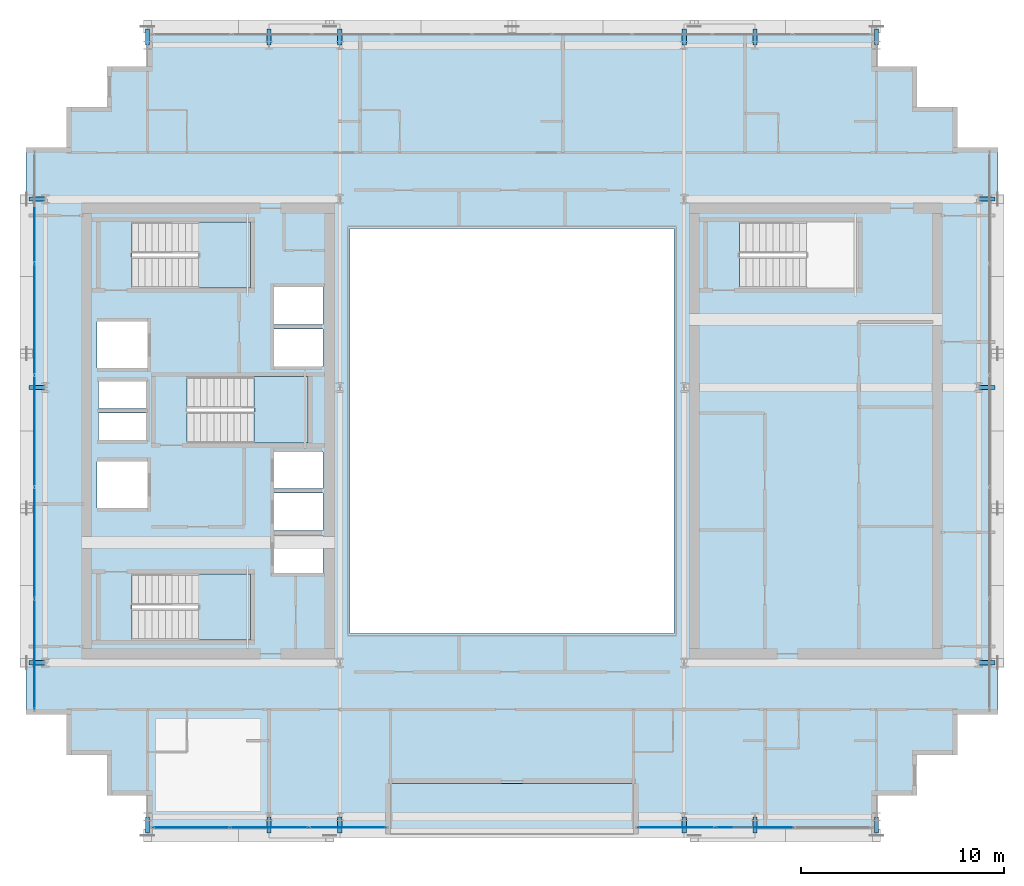
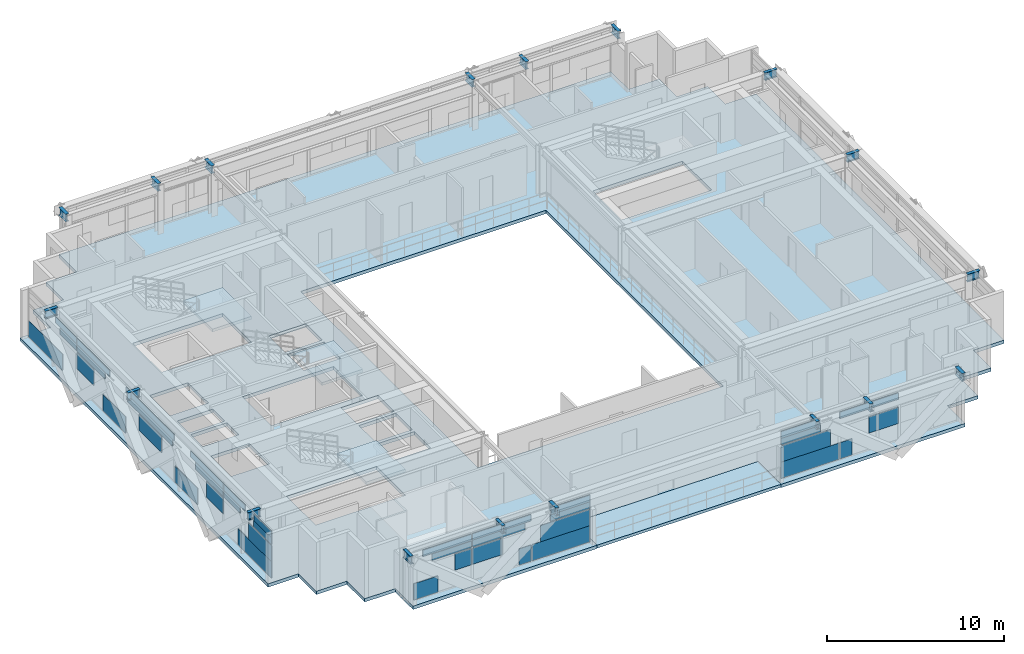
# One storey, part 20 of 32: 39 plates, 18 beams, 5 slabs, 6 elements without a shape of their own.
"""IFC4 building model written with IfcOpenShell, lengths in metres."""

from ifc_helpers import new_model, si_unit, direction, frame, origin, origin_2d, place, context, subcontext, project, spatial, polyline, rectangle, i_section, outline, extrude, source, transform, mapped, material, layer, layer_set, material_profile, profile_set, type_object, element, aggregate, save


model = new_model("IFC4")

# Units and contexts
model_context = context("Model", 3, precision=1e-05, world=origin(), true_north=direction((0.0, 1.0)))
body_context = subcontext(model_context, "Body", "Model", "MODEL_VIEW")
ifc_project = project(units=[si_unit("LENGTHUNIT", "METRE"), si_unit("AREAUNIT", "SQUARE_METRE"), si_unit("VOLUMEUNIT", "CUBIC_METRE"), si_unit("PLANEANGLEUNIT", "RADIAN"), si_unit("MASSUNIT", "GRAM", prefix="KILO")], contexts=[model_context])

# Site, building, storey
site_placement = place(None, origin())
site = spatial("IfcSite", under=ifc_project, at=site_placement, CompositionType="ELEMENT")
building_placement = place(site_placement, origin())
building = spatial("IfcBuilding", under=site, at=building_placement, Name="Ocotamira Hotel", CompositionType="ELEMENT")
storey_placement = place(building_placement, frame((0.0, 0.0, 213.60009765625)))
storey = spatial("IfcBuildingStorey", under=building, at=storey_placement, Name="L54", CompositionType="ELEMENT", Elevation=213.60009765625)

# Beams
ifc_material_1 = material(Name="Steel ASTM A992 Grade 50", Category="steel")
ifc_material_profile = material_profile(ifc_material_1, i_section(OverallWidth=0.2099609375, OverallDepth=0.537109375, WebThickness=0.010986328125, FlangeThickness=0.017333984375, FilletRadius=0.012939453125, at=origin_2d()), Name="W21X68")
ifc_profile_set = profile_set([ifc_material_profile], Name="Steel ASTM A992 Grade 50")
beam_type = type_object("IfcBeamType", Name="BM-SEC-W21X68", PredefinedType="JOIST", material=ifc_profile_set)
shared_shape_1 = source(origin(), body_context, "Body", "SweptSolid", [
    extrude(i_section(OverallWidth=0.2099609375, OverallDepth=0.537109375, WebThickness=0.010986328125, FlangeThickness=0.017333984375, FilletRadius=0.012939453125, at=origin_2d()), origin(), (0.0, 0.0, 1.0), 0.800048828125),
])
for number, where, z_axis, x_axis, name in (
    (1, (14.0, 6.949951171875, 3.101318359375), (0.0, -1.0, 0.0), (1.0, 0.0, 0.0), "L54 South Edge Header X14"),
    (2, (14.0, 45.050048828125, 3.101318359375), (0.0, 1.0, 0.0), (-1.0, 0.0, 0.0), "L54 North Edge Header X14"),
    (3, (20.0, 6.949951171875, 3.101318359375), (0.0, -1.0, 0.0), (1.0, 0.0, 0.0), "L54 South Edge Header X20"),
    (4, (20.0, 45.050048828125, 3.101318359375), (0.0, 1.0, 0.0), (-1.0, 0.0, 0.0), "L54 North Edge Header X20"),
    (5, (23.5, 6.949951171875, 3.101318359375), (0.0, -1.0, 0.0), (1.0, 0.0, 0.0), "L54 South Edge Header X23.5"),
    (6, (23.5, 45.050048828125, 3.101318359375), (0.0, 1.0, 0.0), (-1.0, 0.0, 0.0), "L54 North Edge Header X23.5"),
    (7, (40.5, 6.949951171875, 3.101318359375), (0.0, -1.0, 0.0), (1.0, 0.0, 0.0), "L54 South Edge Header X40.5"),
    (8, (40.5, 45.050048828125, 3.101318359375), (0.0, 1.0, 0.0), (-1.0, 0.0, 0.0), "L54 North Edge Header X40.5"),
    (9, (44.0, 6.949951171875, 3.101318359375), (0.0, -1.0, 0.0), (1.0, 0.0, 0.0), "L54 South Edge Header X44"),
    (10, (44.0, 45.050048828125, 3.101318359375), (0.0, 1.0, 0.0), (-1.0, 0.0, 0.0), "L54 North Edge Header X44"),
    (11, (50.0, 6.949951171875, 3.101318359375), (0.0, -1.0, 0.0), (1.0, 0.0, 0.0), "L54 South Edge Header X50"),
    (12, (50.0, 45.050048828125, 3.101318359375), (0.0, 1.0, 0.0), (-1.0, 0.0, 0.0), "L54 North Edge Header X50"),
    (13, (8.949951171875, 14.550048828125, 3.101318359375), (-1.0, 0.0, 0.0), (0.0, -1.0, 0.0), "L54 West Edge Header Y14.55"),
    (14, (55.050048828125, 14.550048828125, 3.101318359375), (1.0, 0.0, 0.0), (0.0, 1.0, 0.0), "L54 East Edge Header Y14.55"),
    (15, (8.949951171875, 28.14990234375, 3.101318359375), (-1.0, 0.0, 0.0), (0.0, -1.0, 0.0), "L54 West Edge Header Y28.15"),
    (16, (55.050048828125, 28.14990234375, 3.101318359375), (1.0, 0.0, 0.0), (0.0, 1.0, 0.0), "L54 East Edge Header Y28.15"),
    (17, (8.949951171875, 37.449951171875, 3.101318359375), (-1.0, 0.0, 0.0), (0.0, -1.0, 0.0), "L54 West Edge Header Y37.45"),
    (18, (55.050048828125, 37.449951171875, 3.101318359375), (1.0, 0.0, 0.0), (0.0, 1.0, 0.0), "L54 East Edge Header Y37.45"),
):
    element("IfcBeam", number, at=place(storey_placement, frame(where, z_axis=z_axis, x_axis=x_axis)), inside=storey, type_object=beam_type, Name=name, PredefinedType="JOIST", context=body_context, shape_type="MappedRepresentation", body=[
        mapped(shared_shape_1, transform((0.0, 0.0, 0.0), scale=1.0)),
    ])

# Slab
ifc_material_2 = material(Name="Concrete C40/50", Category="concrete")
ifc_layer_1 = layer(ifc_material_2, 0.199951171875)
ifc_layer_set_1 = layer_set([ifc_layer_1], Name="Concrete C40/50")
slab_type_1 = type_object("IfcSlabType", Name="SLB-BAL-200", PredefinedType="FLOOR", material=ifc_layer_set_1)
slab_1_placement = place(storey_placement, frame((0.0, 0.0, -0.2001953125)))
element("IfcSlab", 19, at=slab_1_placement, inside=storey, type_object=slab_type_1, Name="L54 Outdoor Sky Terrace Slab 1", PredefinedType="FLOOR", context=body_context, shape_type="SweptSolid", body=[
    extrude(outline(polyline([(26.0, 6.0), (38.0, 6.0), (38.0, 8.60009765625), (26.0, 8.60009765625), (26.0, 6.0)])), origin(), (0.0, 0.0, 1.0), 0.2001953125),
])

# Stair, slab
stair_type = type_object("IfcStairType", Name="ST-CORE-1560", PredefinedType="HALF_TURN_STAIR", material=ifc_material_2)
stair_1_placement = place(storey_placement, origin())
stair_1 = element("IfcStair", 20, at=stair_1_placement, inside=storey, type_object=stair_type, Name="L54 Exit Stair ST-1", PredefinedType="HALF_TURN_STAIR")
ifc_layer_2 = layer(ifc_material_2, 0.199951171875)
ifc_layer_set_2 = layer_set([ifc_layer_2], Name="Concrete C40/50")
slab_type_2 = type_object("IfcSlabType", Name="SLB-LAND-200", PredefinedType="LANDING", material=ifc_layer_set_2)
slab_2_placement = place(storey_placement, frame((0.0, 0.0, 1.599853515625)))
slab_2 = element("IfcSlab", 21, at=slab_2_placement, type_object=slab_type_2, Name="ST-1 landing 1", PredefinedType="LANDING", context=body_context, shape_type="SweptSolid", body=[
    extrude(outline(polyline([(16.530029296875, 15.669921875), (19.090087890625, 15.669921875), (19.090087890625, 18.949951171875), (16.530029296875, 18.949951171875), (16.530029296875, 15.669921875)])), origin(), (0.0, 0.0, 1.0), 0.199951171875),
])
aggregate(stair_1, [slab_2])

stair_2_placement = place(storey_placement, origin())
stair_2 = element("IfcStair", 22, at=stair_2_placement, inside=storey, type_object=stair_type, Name="L54 Exit Stair ST-2", PredefinedType="HALF_TURN_STAIR")
slab_3_placement = place(storey_placement, frame((0.0, 0.0, 1.599853515625)))
slab_3 = element("IfcSlab", 23, at=slab_3_placement, type_object=slab_type_2, Name="ST-2 landing 1", PredefinedType="LANDING", context=body_context, shape_type="SweptSolid", body=[
    extrude(outline(polyline([(16.530029296875, 33.050048828125), (19.090087890625, 33.050048828125), (19.090087890625, 36.330078125), (16.530029296875, 36.330078125), (16.530029296875, 33.050048828125)])), origin(), (0.0, 0.0, 1.0), 0.199951171875),
])
aggregate(stair_2, [slab_3])

stair_3_placement = place(storey_placement, origin())
stair_3 = element("IfcStair", 24, at=stair_3_placement, inside=storey, type_object=stair_type, Name="L54 Exit Stair ST-3", PredefinedType="HALF_TURN_STAIR")
slab_4_placement = place(storey_placement, frame((0.0, 0.0, 1.599853515625)))
slab_4 = element("IfcSlab", 25, at=slab_4_placement, type_object=slab_type_2, Name="ST-3 landing 1", PredefinedType="LANDING", context=body_context, shape_type="SweptSolid", body=[
    extrude(outline(polyline([(19.260009765625, 25.39990234375), (21.919921875, 25.39990234375), (21.919921875, 28.679931640625), (19.260009765625, 28.679931640625), (19.260009765625, 25.39990234375)])), origin(), (0.0, 0.0, 1.0), 0.199951171875),
])
aggregate(stair_3, [slab_4])

# Slab
ifc_layer_3 = layer(ifc_material_2, 0.22998046875)
ifc_layer_set_3 = layer_set([ifc_layer_3], Name="Concrete C40/50")
slab_type_3 = type_object("IfcSlabType", Name="SLB-Z3-230", PredefinedType="FLOOR", material=ifc_layer_set_3)
slab_5_placement = place(storey_placement, frame((0.0, 0.0, -0.22998046875)))
element("IfcSlab", 26, at=slab_5_placement, inside=storey, type_object=slab_type_3, Name="L54 Structural Floor Slab", PredefinedType="FLOOR", context=body_context, shape_type="SweptSolid", body=[
    extrude(outline(polyline([(14.0, 6.0), (14.0, 8.0), (12.0, 8.0), (12.0, 10.0), (10.0, 10.0), (10.0, 12.0), (8.0, 12.0), (8.0, 40.0), (10.0, 40.0), (10.0, 42.0), (12.0, 42.0), (12.0, 44.0), (14.0, 44.0), (14.0, 46.0), (50.0, 46.0), (50.0, 44.0), (52.0, 44.0), (52.0, 42.0), (54.0, 42.0), (54.0, 40.0), (56.0, 40.0), (56.0, 12.0), (54.0, 12.0), (54.0, 10.0), (52.0, 10.0), (52.0, 8.0), (50.0, 8.0), (50.0, 6.0), (38.0, 6.0), (38.0, 8.60009765625), (26.0, 8.60009765625), (26.0, 6.0), (14.0, 6.0)]), holes=[polyline([(24.0, 16.0), (40.0, 16.0), (40.0, 36.0), (24.0, 36.0), (24.0, 16.0)]), polyline([(13.22998046875, 15.669921875), (19.090087890625, 15.669921875), (19.090087890625, 18.949951171875), (13.22998046875, 18.949951171875), (13.22998046875, 15.669921875)]), polyline([(13.22998046875, 33.050048828125), (19.090087890625, 33.050048828125), (19.090087890625, 36.330078125), (13.22998046875, 36.330078125), (13.22998046875, 33.050048828125)]), polyline([(15.9599609375, 25.39990234375), (21.919921875, 25.39990234375), (21.919921875, 28.679931640625), (15.9599609375, 28.679931640625), (15.9599609375, 25.39990234375)]), polyline([(43.22998046875, 33.050048828125), (49.090087890625, 33.050048828125), (49.090087890625, 36.330078125), (43.22998046875, 36.330078125), (43.22998046875, 33.050048828125)]), polyline([(20.25, 19.0), (22.659912109375, 19.0), (22.659912109375, 20.85009765625), (20.25, 20.85009765625), (20.25, 19.0)]), polyline([(20.25, 21.080078125), (22.659912109375, 21.080078125), (22.659912109375, 22.929931640625), (20.25, 22.929931640625), (20.25, 21.080078125)]), polyline([(20.25, 23.159912109375), (22.659912109375, 23.159912109375), (22.659912109375, 24.9599609375), (20.25, 24.9599609375), (20.25, 23.159912109375)]), polyline([(20.25, 29.179931640625), (22.659912109375, 29.179931640625), (22.659912109375, 31.030029296875), (20.25, 31.030029296875), (20.25, 29.179931640625)]), polyline([(20.25, 31.260009765625), (22.659912109375, 31.260009765625), (22.659912109375, 33.110107421875), (20.25, 33.110107421875), (20.25, 31.260009765625)]), polyline([(11.5, 22.199951171875), (14.0, 22.199951171875), (14.0, 24.5), (11.5, 24.5), (11.5, 22.199951171875)]), polyline([(11.5, 29.10009765625), (14.0, 29.10009765625), (14.0, 31.39990234375), (11.5, 31.39990234375), (11.5, 29.10009765625)]), polyline([(11.580078125, 25.550048828125), (13.919921875, 25.550048828125), (13.919921875, 26.89990234375), (11.580078125, 26.89990234375), (11.580078125, 25.550048828125)]), polyline([(11.580078125, 27.10009765625), (13.919921875, 27.10009765625), (13.919921875, 28.449951171875), (11.580078125, 28.449951171875), (11.580078125, 27.10009765625)])]), origin(), (0.0, 0.0, 1.0), 0.22998046875),
])

# Curtain wall, plates
ifc_material_3 = material(Name="Anodised pale-metal aluminium and solar glass", Category="aluminium")
ifc_layer_4 = layer(ifc_material_3, 0.199951171875)
ifc_layer_set_4 = layer_set([ifc_layer_4], Name="Anodised pale-metal aluminium and solar glass")
curtain_wall_type = type_object("IfcCurtainWallType", Name="CW-SYS4-Z3", PredefinedType="NOTDEFINED", material=ifc_layer_set_4)
curtain_wall_1_placement = place(storey_placement, origin())
curtain_wall_1 = element("IfcCurtainWall", 27, at=curtain_wall_1_placement, inside=storey, type_object=curtain_wall_type, Name="L54 Curtain Wall CW-4 CW-L54-W", PredefinedType="NOTDEFINED")
ifc_material_4 = material(Name="Double-silver low-E insulated solar glass", Category="glass")
ifc_layer_5 = layer(ifc_material_4, 0.031982421875)
ifc_layer_set_5 = layer_set([ifc_layer_5], Name="Double-silver low-E insulated solar glass")
plate_type = type_object("IfcPlateType", Name="CWP-VISION-32", PredefinedType="CURTAIN_PANEL", material=ifc_layer_set_5)
shared_shape_2 = source(origin(), body_context, "Body", "SweptSolid", [
    extrude(rectangle(XDim=2.3681640625, YDim=0.031982421875, at=origin_2d()), origin(), (0.0, 0.0, 1.0), 0.41259765625),
])
plate_1_placement = place(storey_placement, frame((8.419921875, 16.495849609375, 2.88232421875), z_axis=(0.0, 0.0, 1.0), x_axis=(0.0, 1.0, 0.0)))
plate_1 = element("IfcPlate", 28, at=plate_1_placement, type_object=plate_type, Name="CW-4 panel 1.2.3", PredefinedType="CURTAIN_PANEL", context=body_context, shape_type="MappedRepresentation", body=[
    mapped(shared_shape_2, transform((0.0, 0.0, 0.0), scale=1.0)),
])
plate_2_placement = place(storey_placement, frame((8.419921875, 35.504150390625, 2.88232421875), z_axis=(0.0, 0.0, 1.0), x_axis=(0.0, 1.0, 0.0)))
plate_2 = element("IfcPlate", 29, at=plate_2_placement, type_object=plate_type, Name="CW-4 panel 5.2.2", PredefinedType="CURTAIN_PANEL", context=body_context, shape_type="MappedRepresentation", body=[
    mapped(shared_shape_2, transform((0.0, 0.0, 0.0), scale=1.0)),
])
shared_shape_3 = source(origin(), body_context, "Body", "SweptSolid", [
    extrude(rectangle(XDim=3.66162109375, YDim=0.031982421875, at=origin_2d()), origin(), (0.0, 0.0, 1.0), 0.41259765625),
])
plate_3_placement = place(storey_placement, frame((8.419921875, 19.5908203125, 2.88232421875), z_axis=(0.0, 0.0, 1.0), x_axis=(0.0, 1.0, 0.0)))
plate_3 = element("IfcPlate", 30, at=plate_3_placement, type_object=plate_type, Name="CW-4 panel 2.2.2", PredefinedType="CURTAIN_PANEL", context=body_context, shape_type="MappedRepresentation", body=[
    mapped(shared_shape_3, transform((0.0, 0.0, 0.0), scale=1.0)),
])
plate_4_placement = place(storey_placement, frame((8.419921875, 32.4091796875, 2.88232421875), z_axis=(0.0, 0.0, 1.0), x_axis=(0.0, 1.0, 0.0)))
plate_4 = element("IfcPlate", 31, at=plate_4_placement, type_object=plate_type, Name="CW-4 panel 4.2.1", PredefinedType="CURTAIN_PANEL", context=body_context, shape_type="MappedRepresentation", body=[
    mapped(shared_shape_3, transform((0.0, 0.0, 0.0), scale=1.0)),
])
shared_shape_4 = source(origin(), body_context, "Body", "SweptSolid", [
    extrude(rectangle(XDim=5.43994140625, YDim=0.031982421875, at=origin_2d()), origin(), (0.0, 0.0, 1.0), 0.41259765625),
])
plate_5_placement = place(storey_placement, frame((8.419921875, 26.0, 2.88232421875), z_axis=(0.0, 0.0, 1.0), x_axis=(0.0, 1.0, 0.0)))
plate_5 = element("IfcPlate", 32, at=plate_5_placement, type_object=plate_type, Name="CW-4 panel 3.2.1", PredefinedType="CURTAIN_PANEL", context=body_context, shape_type="MappedRepresentation", body=[
    mapped(shared_shape_4, transform((0.0, 0.0, 0.0), scale=1.0)),
])
shared_shape_5 = source(origin(), body_context, "Body", "SweptSolid", [
    extrude(rectangle(XDim=5.06005859375, YDim=0.031982421875, at=origin_2d()), origin(), (0.0, 0.0, 1.0), 0.4951171875),
])
plate_6_placement = place(storey_placement, frame((8.419921875, 26.0, 2.387451171875), z_axis=(0.0, 0.0, 1.0), x_axis=(0.0, 1.0, 0.0)))
plate_6 = element("IfcPlate", 33, at=plate_6_placement, type_object=plate_type, Name="CW-4 panel 3.2.2", PredefinedType="CURTAIN_PANEL", context=body_context, shape_type="MappedRepresentation", body=[
    mapped(shared_shape_5, transform((0.0, 0.0, 0.0), scale=1.0)),
])

curtain_wall_2_placement = place(storey_placement, origin())
curtain_wall_2 = element("IfcCurtainWall", 34, at=curtain_wall_2_placement, inside=storey, type_object=curtain_wall_type, Name="L54 Curtain Wall CW-4 CW-L54-S1", PredefinedType="NOTDEFINED")
shared_shape_6 = source(origin(), body_context, "Body", "SweptSolid", [
    extrude(rectangle(XDim=1.0751953125, YDim=0.031982421875, at=origin_2d()), origin(), (0.0, 0.0, 1.0), 1.118896484375),
])
plate_7_placement = place(storey_placement, frame((17.505615234375, 6.419921875, 1.193359375), z_axis=(0.0, 0.0, 1.0), x_axis=(1.0, 0.0, 0.0)))
plate_7 = element("IfcPlate", 35, at=plate_7_placement, type_object=plate_type, Name="CW-4 panel 1.1.2", PredefinedType="CURTAIN_PANEL", context=body_context, shape_type="MappedRepresentation", body=[
    mapped(shared_shape_6, transform((0.0, 0.0, 0.0), scale=1.0)),
])
shared_shape_7 = source(origin(), body_context, "Body", "SweptSolid", [
    extrude(rectangle(XDim=3.160888671875, YDim=0.031982421875, at=origin_2d()), origin(), (0.0, 0.0, 1.0), 0.4326171875),
])
plate_8_placement = place(storey_placement, frame((16.462890625, 6.419921875, 2.8623046875), z_axis=(0.0, 0.0, 1.0), x_axis=(1.0, 0.0, 0.0)))
plate_8 = element("IfcPlate", 36, at=plate_8_placement, type_object=plate_type, Name="CW-4 panel 1.2.1", PredefinedType="CURTAIN_PANEL", context=body_context, shape_type="MappedRepresentation", body=[
    mapped(shared_shape_7, transform((0.0, 0.0, 0.0), scale=1.0)),
])
shared_shape_8 = source(origin(), body_context, "Body", "SweptSolid", [
    extrude(rectangle(XDim=1.90869140625, YDim=0.031982421875, at=origin_2d()), origin(), (0.0, 0.0, 1.0), 1.118896484375),
])
plate_9_placement = place(storey_placement, frame((19.07763671875, 6.419921875, 1.193359375), z_axis=(0.0, 0.0, 1.0), x_axis=(1.0, 0.0, 0.0)))
plate_9 = element("IfcPlate", 37, at=plate_9_placement, type_object=plate_type, Name="CW-4 panel 2.1.1", PredefinedType="CURTAIN_PANEL", context=body_context, shape_type="MappedRepresentation", body=[
    mapped(shared_shape_8, transform((0.0, 0.0, 0.0), scale=1.0)),
])

# Curtain wall, plate
curtain_wall_3_placement = place(storey_placement, origin())
curtain_wall_3 = element("IfcCurtainWall", 38, at=curtain_wall_3_placement, inside=storey, type_object=curtain_wall_type, Name="L54 Curtain Wall CW-4 CW-L54-S2", PredefinedType="NOTDEFINED")
plate_10_placement = place(storey_placement, frame((44.92236328125, 6.419921875, 1.193359375), z_axis=(0.0, 0.0, 1.0), x_axis=(1.0, 0.0, 0.0)))
plate_10 = element("IfcPlate", 39, at=plate_10_placement, type_object=plate_type, Name="CW-4 panel 2.1.2", PredefinedType="CURTAIN_PANEL", context=body_context, shape_type="MappedRepresentation", body=[
    mapped(shared_shape_8, transform((0.0, 0.0, 0.0), scale=1.0)),
])

# Plate
shared_shape_9 = source(origin(), body_context, "Body", "SweptSolid", [
    extrude(rectangle(XDim=3.40087890625, YDim=0.031982421875, at=origin_2d()), origin(), (0.0, 0.0, 1.0), 0.474853515625),
])
plate_11_placement = place(storey_placement, frame((19.82373046875, 6.419921875, 2.38720703125), z_axis=(0.0, 0.0, 1.0), x_axis=(1.0, 0.0, 0.0)))
plate_11 = element("IfcPlate", 40, at=plate_11_placement, type_object=plate_type, Name="CW-4 panel 2.2.1", PredefinedType="CURTAIN_PANEL", context=body_context, shape_type="MappedRepresentation", body=[
    mapped(shared_shape_9, transform((0.0, 0.0, 0.0), scale=1.0)),
])

shared_shape_10 = source(origin(), body_context, "Body", "SweptSolid", [
    extrude(rectangle(XDim=3.80322265625, YDim=0.031982421875, at=origin_2d()), origin(), (0.0, 0.0, 1.0), 0.4326171875),
])
plate_12_placement = place(storey_placement, frame((20.02490234375, 6.419921875, 2.8623046875), z_axis=(0.0, 0.0, 1.0), x_axis=(1.0, 0.0, 0.0)))
plate_12 = element("IfcPlate", 41, at=plate_12_placement, type_object=plate_type, Name="CW-4 panel 2.2.2", PredefinedType="CURTAIN_PANEL", context=body_context, shape_type="MappedRepresentation", body=[
    mapped(shared_shape_10, transform((0.0, 0.0, 0.0), scale=1.0)),
])

plate_13_placement = place(storey_placement, frame((43.97509765625, 6.419921875, 2.8623046875), z_axis=(0.0, 0.0, 1.0), x_axis=(1.0, 0.0, 0.0)))
plate_13 = element("IfcPlate", 42, at=plate_13_placement, type_object=plate_type, Name="CW-4 panel 2.2.1", PredefinedType="CURTAIN_PANEL", context=body_context, shape_type="MappedRepresentation", body=[
    mapped(shared_shape_10, transform((0.0, 0.0, 0.0), scale=1.0)),
])

shared_shape_11 = source(origin(), body_context, "Body", "SweptSolid", [
    extrude(rectangle(XDim=3.218994140625, YDim=0.031982421875, at=origin_2d()), origin(), (0.0, 0.0, 1.0), 1.118896484375),
])
plate_14_placement = place(storey_placement, frame((24.160400390625, 6.419921875, 1.193359375), z_axis=(0.0, 0.0, 1.0), x_axis=(1.0, 0.0, 0.0)))
plate_14 = element("IfcPlate", 43, at=plate_14_placement, type_object=plate_type, Name="CW-4 panel 3.1.2", PredefinedType="CURTAIN_PANEL", context=body_context, shape_type="MappedRepresentation", body=[
    mapped(shared_shape_11, transform((0.0, 0.0, 0.0), scale=1.0)),
])

plate_15_placement = place(storey_placement, frame((39.839599609375, 6.419921875, 1.193359375), z_axis=(0.0, 0.0, 1.0), x_axis=(1.0, 0.0, 0.0)))
plate_15 = element("IfcPlate", 44, at=plate_15_placement, type_object=plate_type, Name="CW-4 panel 1.1.2", PredefinedType="CURTAIN_PANEL", context=body_context, shape_type="MappedRepresentation", body=[
    mapped(shared_shape_11, transform((0.0, 0.0, 0.0), scale=1.0)),
])

shared_shape_12 = source(origin(), body_context, "Body", "SweptSolid", [
    extrude(rectangle(XDim=2.615966796875, YDim=0.031982421875, at=origin_2d()), origin(), (0.0, 0.0, 1.0), 1.118896484375),
])
plate_16_placement = place(storey_placement, frame((8.419921875, 13.587890625, 1.193359375), z_axis=(0.0, 0.0, 1.0), x_axis=(0.0, 1.0, 0.0)))
plate_16 = element("IfcPlate", 45, at=plate_16_placement, type_object=plate_type, Name="CW-4 panel 1.1.2", PredefinedType="CURTAIN_PANEL", context=body_context, shape_type="MappedRepresentation", body=[
    mapped(shared_shape_12, transform((0.0, 0.0, 0.0), scale=1.0)),
])

shared_shape_13 = source(origin(), body_context, "Body", "SweptSolid", [
    extrude(rectangle(XDim=1.87109375, YDim=0.031982421875, at=origin_2d()), origin(), (0.0, 0.0, 1.0), 1.118896484375),
])
plate_17_placement = place(storey_placement, frame((8.419921875, 18.695556640625, 1.193359375), z_axis=(0.0, 0.0, 1.0), x_axis=(0.0, 1.0, 0.0)))
plate_17 = element("IfcPlate", 46, at=plate_17_placement, type_object=plate_type, Name="CW-4 panel 2.1.1", PredefinedType="CURTAIN_PANEL", context=body_context, shape_type="MappedRepresentation", body=[
    mapped(shared_shape_13, transform((0.0, 0.0, 0.0), scale=1.0)),
])

plate_18_placement = place(storey_placement, frame((8.419921875, 33.304443359375, 1.193359375), z_axis=(0.0, 0.0, 1.0), x_axis=(0.0, 1.0, 0.0)))
plate_18 = element("IfcPlate", 47, at=plate_18_placement, type_object=plate_type, Name="CW-4 panel 4.1.2", PredefinedType="CURTAIN_PANEL", context=body_context, shape_type="MappedRepresentation", body=[
    mapped(shared_shape_13, transform((0.0, 0.0, 0.0), scale=1.0)),
])

shared_shape_14 = source(origin(), body_context, "Body", "SweptSolid", [
    extrude(rectangle(XDim=2.52880859375, YDim=0.031982421875, at=origin_2d()), origin(), (0.0, 0.0, 1.0), 1.118896484375),
])
plate_19_placement = place(storey_placement, frame((8.419921875, 26.0, 1.193359375), z_axis=(0.0, 0.0, 1.0), x_axis=(0.0, 1.0, 0.0)))
plate_19 = element("IfcPlate", 48, at=plate_19_placement, type_object=plate_type, Name="CW-4 panel 3.1.1", PredefinedType="CURTAIN_PANEL", context=body_context, shape_type="MappedRepresentation", body=[
    mapped(shared_shape_14, transform((0.0, 0.0, 0.0), scale=1.0)),
])

shared_shape_15 = source(origin(), body_context, "Body", "SweptSolid", [
    extrude(rectangle(XDim=1.5673828125, YDim=0.031982421875, at=origin_2d()), origin(), (0.0, 0.0, 1.0), 1.11865234375),
])
plate_20_placement = place(storey_placement, frame((15.063720703125, 6.419921875, 0.074951171875), z_axis=(0.0, 0.0, 1.0), x_axis=(1.0, 0.0, 0.0)))
plate_20 = element("IfcPlate", 49, at=plate_20_placement, type_object=plate_type, Name="CW-4 panel 1.1.1", PredefinedType="CURTAIN_PANEL", context=body_context, shape_type="MappedRepresentation", body=[
    mapped(shared_shape_15, transform((0.0, 0.0, 0.0), scale=1.0)),
])

shared_shape_16 = source(origin(), body_context, "Body", "SweptSolid", [
    extrude(rectangle(XDim=0.774169921875, YDim=0.031982421875, at=origin_2d()), origin(), (0.0, 0.0, 1.0), 1.11865234375),
])
plate_21_placement = place(storey_placement, frame((21.53955078125, 6.419921875, 0.074951171875), z_axis=(0.0, 0.0, 1.0), x_axis=(1.0, 0.0, 0.0)))
plate_21 = element("IfcPlate", 50, at=plate_21_placement, type_object=plate_type, Name="CW-4 panel 2.1.2", PredefinedType="CURTAIN_PANEL", context=body_context, shape_type="MappedRepresentation", body=[
    mapped(shared_shape_16, transform((0.0, 0.0, 0.0), scale=1.0)),
])

plate_22_placement = place(storey_placement, frame((42.46044921875, 6.419921875, 0.074951171875), z_axis=(0.0, 0.0, 1.0), x_axis=(1.0, 0.0, 0.0)))
plate_22 = element("IfcPlate", 51, at=plate_22_placement, type_object=plate_type, Name="CW-4 panel 2.1.1", PredefinedType="CURTAIN_PANEL", context=body_context, shape_type="MappedRepresentation", body=[
    mapped(shared_shape_16, transform((0.0, 0.0, 0.0), scale=1.0)),
])

shared_shape_17 = source(origin(), body_context, "Body", "SweptSolid", [
    extrude(rectangle(XDim=3.76318359375, YDim=0.031982421875, at=origin_2d()), origin(), (0.0, 0.0, 1.0), 1.11865234375),
])
plate_23_placement = place(storey_placement, frame((23.88818359375, 6.419921875, 0.074951171875), z_axis=(0.0, 0.0, 1.0), x_axis=(1.0, 0.0, 0.0)))
plate_23 = element("IfcPlate", 52, at=plate_23_placement, type_object=plate_type, Name="CW-4 panel 3.1.1", PredefinedType="CURTAIN_PANEL", context=body_context, shape_type="MappedRepresentation", body=[
    mapped(shared_shape_17, transform((0.0, 0.0, 0.0), scale=1.0)),
])

plate_24_placement = place(storey_placement, frame((40.11181640625, 6.419921875, 0.074951171875), z_axis=(0.0, 0.0, 1.0), x_axis=(1.0, 0.0, 0.0)))
plate_24 = element("IfcPlate", 53, at=plate_24_placement, type_object=plate_type, Name="CW-4 panel 1.1.1", PredefinedType="CURTAIN_PANEL", context=body_context, shape_type="MappedRepresentation", body=[
    mapped(shared_shape_17, transform((0.0, 0.0, 0.0), scale=1.0)),
])

shared_shape_18 = source(origin(), body_context, "Body", "SweptSolid", [
    extrude(rectangle(XDim=3.802001953125, YDim=0.031982421875, at=origin_2d()), origin(), (0.0, 0.0, 1.0), 1.11865234375),
])
plate_25_placement = place(storey_placement, frame((8.419921875, 14.180908203125, 0.074951171875), z_axis=(0.0, 0.0, 1.0), x_axis=(0.0, 1.0, 0.0)))
plate_25 = element("IfcPlate", 54, at=plate_25_placement, type_object=plate_type, Name="CW-4 panel 1.1.1", PredefinedType="CURTAIN_PANEL", context=body_context, shape_type="MappedRepresentation", body=[
    mapped(shared_shape_18, transform((0.0, 0.0, 0.0), scale=1.0)),
])

plate_26_placement = place(storey_placement, frame((8.419921875, 37.819091796875, 0.074951171875), z_axis=(0.0, 0.0, 1.0), x_axis=(0.0, 1.0, 0.0)))
plate_26 = element("IfcPlate", 55, at=plate_26_placement, type_object=plate_type, Name="CW-4 panel 5.1.1", PredefinedType="CURTAIN_PANEL", context=body_context, shape_type="MappedRepresentation", body=[
    mapped(shared_shape_18, transform((0.0, 0.0, 0.0), scale=1.0)),
])

shared_shape_19 = source(origin(), body_context, "Body", "SweptSolid", [
    extrude(rectangle(XDim=2.548828125, YDim=0.031982421875, at=origin_2d()), origin(), (0.0, 0.0, 1.0), 1.11865234375),
])
plate_27_placement = place(storey_placement, frame((8.419921875, 21.925537109375, 0.074951171875), z_axis=(0.0, 0.0, 1.0), x_axis=(0.0, 1.0, 0.0)))
plate_27 = element("IfcPlate", 56, at=plate_27_placement, type_object=plate_type, Name="CW-4 panel 2.1.2", PredefinedType="CURTAIN_PANEL", context=body_context, shape_type="MappedRepresentation", body=[
    mapped(shared_shape_19, transform((0.0, 0.0, 0.0), scale=1.0)),
])

plate_28_placement = place(storey_placement, frame((8.419921875, 30.074462890625, 0.074951171875), z_axis=(0.0, 0.0, 1.0), x_axis=(0.0, 1.0, 0.0)))
plate_28 = element("IfcPlate", 57, at=plate_28_placement, type_object=plate_type, Name="CW-4 panel 4.1.1", PredefinedType="CURTAIN_PANEL", context=body_context, shape_type="MappedRepresentation", body=[
    mapped(shared_shape_19, transform((0.0, 0.0, 0.0), scale=1.0)),
])

shared_shape_20 = source(origin(), body_context, "Body", "SweptSolid", [
    extrude(rectangle(XDim=2.5673828125, YDim=0.031982421875, at=origin_2d()), origin(), (0.0, 0.0, 1.0), 0.441162109375),
])
plate_29_placement = place(storey_placement, frame((16.759521484375, 6.419921875, 2.38720703125), z_axis=(0.0, 0.0, 1.0), x_axis=(1.0, 0.0, 0.0)))
plate_29 = element("IfcPlate", 58, at=plate_29_placement, type_object=plate_type, Name="CW-4 panel 1.2.2", PredefinedType="CURTAIN_PANEL", context=body_context, shape_type="MappedRepresentation", body=[
    mapped(shared_shape_20, transform((0.0, 0.0, 0.0), scale=1.0)),
])

shared_shape_21 = source(origin(), body_context, "Body", "SweptSolid", [
    extrude(rectangle(XDim=2.573974609375, YDim=0.031982421875, at=origin_2d()), origin(), (0.0, 0.0, 1.0), 0.441162109375),
])
plate_30_placement = place(storey_placement, frame((24.48291015625, 6.419921875, 2.38720703125), z_axis=(0.0, 0.0, 1.0), x_axis=(1.0, 0.0, 0.0)))
plate_30 = element("IfcPlate", 59, at=plate_30_placement, type_object=plate_type, Name="CW-4 panel 3.2.1", PredefinedType="CURTAIN_PANEL", context=body_context, shape_type="MappedRepresentation", body=[
    mapped(shared_shape_21, transform((0.0, 0.0, 0.0), scale=1.0)),
])

plate_31_placement = place(storey_placement, frame((39.51708984375, 6.419921875, 2.38720703125), z_axis=(0.0, 0.0, 1.0), x_axis=(1.0, 0.0, 0.0)))
plate_31 = element("IfcPlate", 60, at=plate_31_placement, type_object=plate_type, Name="CW-4 panel 1.2.1", PredefinedType="CURTAIN_PANEL", context=body_context, shape_type="MappedRepresentation", body=[
    mapped(shared_shape_21, transform((0.0, 0.0, 0.0), scale=1.0)),
])

shared_shape_22 = source(origin(), body_context, "Body", "SweptSolid", [
    extrude(rectangle(XDim=2.53173828125, YDim=0.031982421875, at=origin_2d()), origin(), (0.0, 0.0, 1.0), 0.46630859375),
])
plate_32_placement = place(storey_placement, frame((24.504150390625, 6.419921875, 2.82861328125), z_axis=(0.0, 0.0, 1.0), x_axis=(1.0, 0.0, 0.0)))
plate_32 = element("IfcPlate", 61, at=plate_32_placement, type_object=plate_type, Name="CW-4 panel 3.2.2", PredefinedType="CURTAIN_PANEL", context=body_context, shape_type="MappedRepresentation", body=[
    mapped(shared_shape_22, transform((0.0, 0.0, 0.0), scale=1.0)),
])

aggregate(curtain_wall_2, [plate_20, plate_7, plate_8, plate_29, plate_9, plate_21, plate_11, plate_12, plate_23, plate_14, plate_30, plate_32])

plate_33_placement = place(storey_placement, frame((39.495849609375, 6.419921875, 2.82861328125), z_axis=(0.0, 0.0, 1.0), x_axis=(1.0, 0.0, 0.0)))
plate_33 = element("IfcPlate", 62, at=plate_33_placement, type_object=plate_type, Name="CW-4 panel 1.2.2", PredefinedType="CURTAIN_PANEL", context=body_context, shape_type="MappedRepresentation", body=[
    mapped(shared_shape_22, transform((0.0, 0.0, 0.0), scale=1.0)),
])

aggregate(curtain_wall_3, [plate_24, plate_15, plate_31, plate_33, plate_22, plate_10, plate_13])

shared_shape_23 = source(origin(), body_context, "Body", "SweptSolid", [
    extrude(rectangle(XDim=2.051025390625, YDim=0.031982421875, at=origin_2d()), origin(), (0.0, 0.0, 1.0), 0.4580078125),
])
plate_34_placement = place(storey_placement, frame((8.419921875, 13.305419921875, 2.387451171875), z_axis=(0.0, 0.0, 1.0), x_axis=(0.0, 1.0, 0.0)))
plate_34 = element("IfcPlate", 63, at=plate_34_placement, type_object=plate_type, Name="CW-4 panel 1.2.1", PredefinedType="CURTAIN_PANEL", context=body_context, shape_type="MappedRepresentation", body=[
    mapped(shared_shape_23, transform((0.0, 0.0, 0.0), scale=1.0)),
])

shared_shape_24 = source(origin(), body_context, "Body", "SweptSolid", [
    extrude(rectangle(XDim=2.01171875, YDim=0.031982421875, at=origin_2d()), origin(), (0.0, 0.0, 1.0), 0.449462890625),
])
plate_35_placement = place(storey_placement, frame((8.419921875, 13.285888671875, 2.84521484375), z_axis=(0.0, 0.0, 1.0), x_axis=(0.0, 1.0, 0.0)))
plate_35 = element("IfcPlate", 64, at=plate_35_placement, type_object=plate_type, Name="CW-4 panel 1.2.2", PredefinedType="CURTAIN_PANEL", context=body_context, shape_type="MappedRepresentation", body=[
    mapped(shared_shape_24, transform((0.0, 0.0, 0.0), scale=1.0)),
])

shared_shape_25 = source(origin(), body_context, "Body", "SweptSolid", [
    extrude(rectangle(XDim=1.84326171875, YDim=0.031982421875, at=origin_2d()), origin(), (0.0, 0.0, 1.0), 0.4580078125),
])
plate_36_placement = place(storey_placement, frame((8.419921875, 16.75830078125, 2.387451171875), z_axis=(0.0, 0.0, 1.0), x_axis=(0.0, 1.0, 0.0)))
plate_36 = element("IfcPlate", 65, at=plate_36_placement, type_object=plate_type, Name="CW-4 panel 1.2.4", PredefinedType="CURTAIN_PANEL", context=body_context, shape_type="MappedRepresentation", body=[
    mapped(shared_shape_25, transform((0.0, 0.0, 0.0), scale=1.0)),
])

plate_37_placement = place(storey_placement, frame((8.419921875, 35.24169921875, 2.387451171875), z_axis=(0.0, 0.0, 1.0), x_axis=(0.0, 1.0, 0.0)))
plate_37 = element("IfcPlate", 66, at=plate_37_placement, type_object=plate_type, Name="CW-4 panel 5.2.1", PredefinedType="CURTAIN_PANEL", context=body_context, shape_type="MappedRepresentation", body=[
    mapped(shared_shape_25, transform((0.0, 0.0, 0.0), scale=1.0)),
])

shared_shape_26 = source(origin(), body_context, "Body", "SweptSolid", [
    extrude(rectangle(XDim=3.13671875, YDim=0.031982421875, at=origin_2d()), origin(), (0.0, 0.0, 1.0), 0.4580078125),
])
plate_38_placement = place(storey_placement, frame((8.419921875, 19.328369140625, 2.387451171875), z_axis=(0.0, 0.0, 1.0), x_axis=(0.0, 1.0, 0.0)))
plate_38 = element("IfcPlate", 67, at=plate_38_placement, type_object=plate_type, Name="CW-4 panel 2.2.1", PredefinedType="CURTAIN_PANEL", context=body_context, shape_type="MappedRepresentation", body=[
    mapped(shared_shape_26, transform((0.0, 0.0, 0.0), scale=1.0)),
])

plate_39_placement = place(storey_placement, frame((8.419921875, 32.671630859375, 2.387451171875), z_axis=(0.0, 0.0, 1.0), x_axis=(0.0, 1.0, 0.0)))
plate_39 = element("IfcPlate", 68, at=plate_39_placement, type_object=plate_type, Name="CW-4 panel 4.2.2", PredefinedType="CURTAIN_PANEL", context=body_context, shape_type="MappedRepresentation", body=[
    mapped(shared_shape_26, transform((0.0, 0.0, 0.0), scale=1.0)),
])

aggregate(curtain_wall_1, [plate_25, plate_16, plate_34, plate_35, plate_1, plate_36, plate_17, plate_27, plate_38, plate_3, plate_19, plate_5, plate_6, plate_28, plate_18, plate_4, plate_39, plate_26, plate_37, plate_2])

save(model, "model.ifc")
